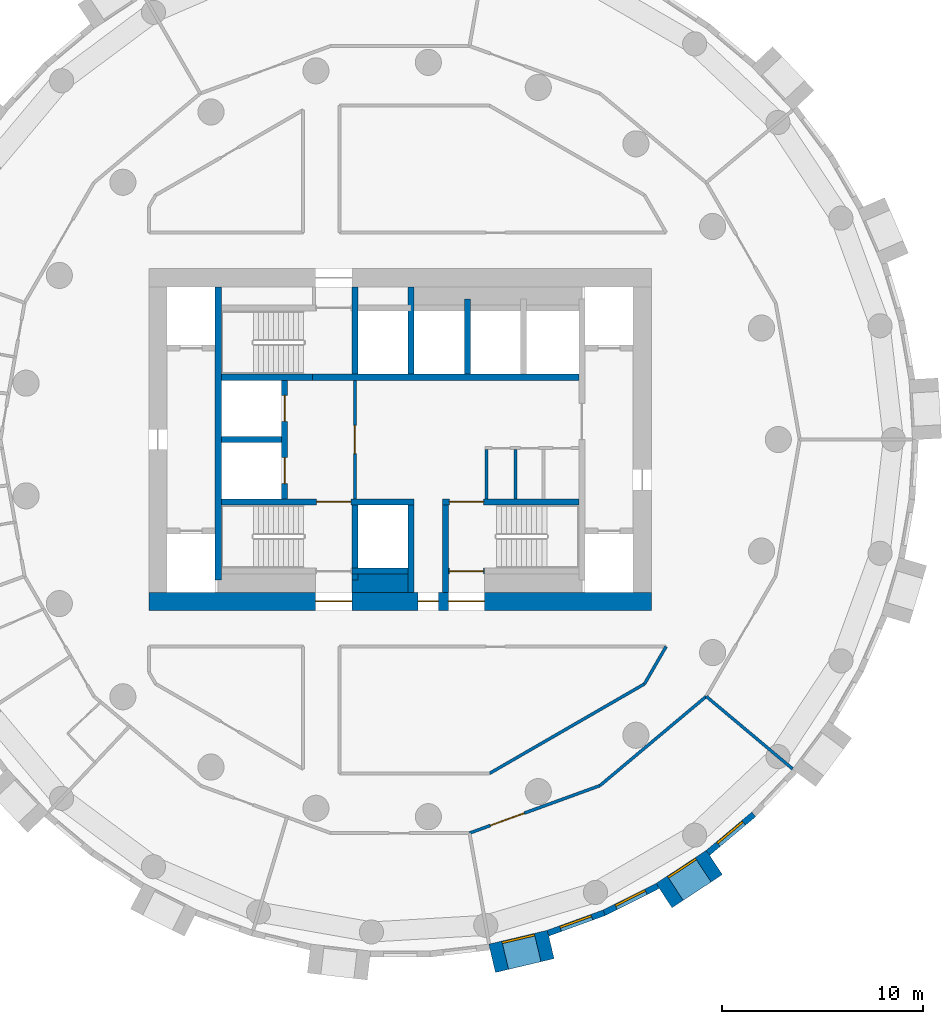
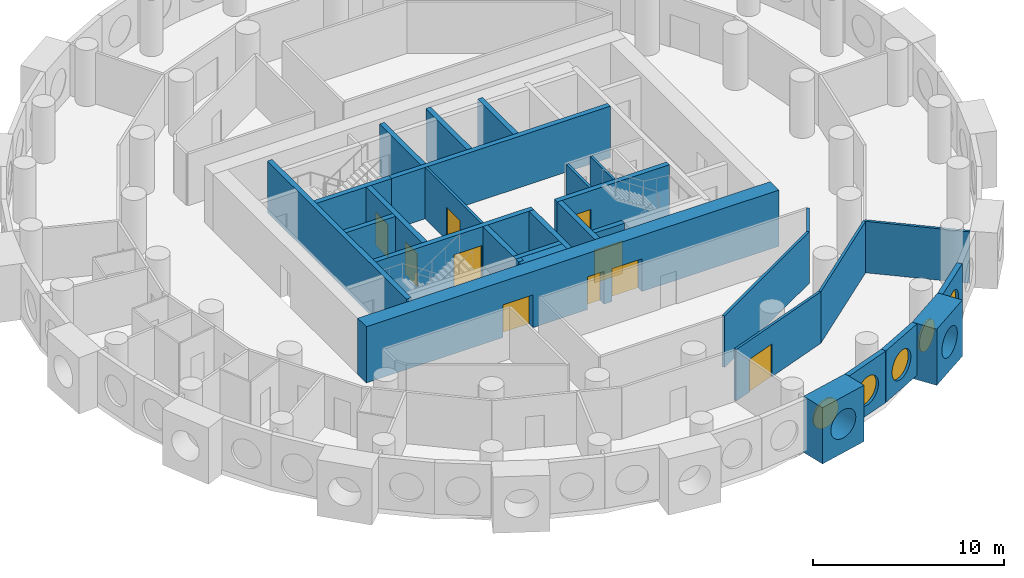
# One storey, part 4 of 9: 30 walls, 10 doors, 5 windows, 15 openings.
"""IFC4 building model written with IfcOpenShell, lengths in metres."""

import ifcopenshell
import ifcopenshell.guid

model = None  # the IFC model being written
_history = None  # IfcOwnerHistory: only IFC2X3 demands one
_inside = {}  # id of a spatial element -> (the spatial element, [elements in it])
_under = {}  # id of a project, library or spatial element -> (it, [spatial elements below it])
_declared = {}  # id of a project -> (the project, [libraries it declares])
_typed = {}  # id of a type object -> (the type object, [elements of that type])
_made_of = {}  # id of a material, layer set ... -> (it, [elements and type objects made of it])


def new_model(schema):
    """Start an empty IFC model of exactly this schema.

    Asked for "IFC4X3", IfcOpenShell would pick the latest addendum, in which some entities
    have other attributes; the version numbers below select the first issue.
    IFC2X3 requires an IfcOwnerHistory on every rooted entity: one is made here for all.
    """
    global model, _history
    if schema == "IFC4X3":
        model = ifcopenshell.file(schema_version=(4, 3, 0, 0))
    else:
        model = ifcopenshell.file(schema=schema)
    _inside.clear()
    _under.clear()
    _declared.clear()
    _typed.clear()
    _made_of.clear()
    _history = None
    if model.schema == "IFC2X3":
        org = make("IfcOrganization", Name="unknown")
        user = make(
            "IfcPersonAndOrganization",
            ThePerson=make("IfcPerson", FamilyName="unknown"),
            TheOrganization=org,
        )
        app = make(
            "IfcApplication",
            ApplicationDeveloper=org,
            Version="unknown",
            ApplicationFullName="unknown",
            ApplicationIdentifier="unknown",
        )
        _history = make(
            "IfcOwnerHistory",
            OwningUser=user,
            OwningApplication=app,
            ChangeAction="ADDED",
            CreationDate=0,
        )
    return model


def make(cls, **values):
    """One entity of the class cls with the attributes given. An attribute that is None is left unset."""
    return model.create_entity(
        cls, **{name: value for name, value in values.items() if value is not None}
    )


def rooted(cls, **values):
    """An entity with a GlobalId (a new one), such as an element, a storey or a relation."""
    return make(cls, GlobalId=ifcopenshell.guid.new(), OwnerHistory=_history, **values)


def si_unit(unit_type, name, prefix=None):
    """IfcSIUnit, for example si_unit("LENGTHUNIT", "METRE", prefix="MILLI")."""
    return make("IfcSIUnit", UnitType=unit_type, Prefix=prefix, Name=name)


def assignment(units):
    """IfcUnitAssignment: the units of a project."""
    return None if units is None else make("IfcUnitAssignment", Units=units)


def point(xyz):
    """IfcCartesianPoint."""
    return None if xyz is None else make("IfcCartesianPoint", Coordinates=xyz)


def direction(xyz):
    """IfcDirection."""
    return None if xyz is None else make("IfcDirection", DirectionRatios=xyz)


def frame(location, z_axis=None, x_axis=None):
    """IfcAxis2Placement3D, a coordinate frame: its origin and axes. An axis left out is left unset."""
    return make(
        "IfcAxis2Placement3D",
        Location=point(location),
        Axis=direction(z_axis),
        RefDirection=direction(x_axis),
    )


def frame_2d(location, x_axis=None):
    """IfcAxis2Placement2D, a coordinate frame in the plane: its origin and x axis."""
    return make(
        "IfcAxis2Placement2D", Location=point(location), RefDirection=direction(x_axis)
    )


def origin():
    """The frame at (0, 0, 0) with its axes left unset."""
    return frame((0.0, 0.0, 0.0))


def origin_2d():
    """The frame at (0, 0) in the plane with its x axis left unset."""
    return frame_2d((0.0, 0.0))


def place(relative_to, where):
    """IfcLocalPlacement: puts the frame where relative to a parent placement (None: the world)."""
    return make(
        "IfcLocalPlacement", PlacementRelTo=relative_to, RelativePlacement=where
    )


def context(
    kind, dimensions, precision=None, world=None, true_north=None, identifier=None
):
    """IfcGeometricRepresentationContext, for example the 3D "Model" context."""
    return make(
        "IfcGeometricRepresentationContext",
        ContextIdentifier=identifier,
        ContextType=kind,
        CoordinateSpaceDimension=dimensions,
        Precision=precision,
        WorldCoordinateSystem=world,
        TrueNorth=true_north,
    )


def subcontext(parent, identifier, kind, view, scale=None):
    """IfcGeometricRepresentationSubContext, for example "Body" below "Model"."""
    return make(
        "IfcGeometricRepresentationSubContext",
        ContextIdentifier=identifier,
        ContextType=kind,
        ParentContext=parent,
        TargetScale=scale,
        TargetView=view,
    )


def project(units=None, contexts=None):
    """IfcProject with its units and contexts."""
    return rooted(
        "IfcProject",
        Name="project",
        RepresentationContexts=contexts,
        UnitsInContext=assignment(units),
    )


def spatial(cls, under=None, at=None, **own):
    """A site, building, storey or space (cls), placed at a placement, below another one or the project."""
    s = rooted(cls, ObjectPlacement=at, **own)
    if under is not None:
        _under.setdefault(under.id(), (under, []))[1].append(s)
    return s


def profile(cls, at=None, kind="AREA", **sizes):
    """A parametric profile (cls). Its sizes go by their IFC names, for example OverallWidth=200.0."""
    return make(cls, ProfileType=kind, Position=at, **sizes)


def rectangle(**sizes):
    """IfcRectangleProfileDef."""
    return profile("IfcRectangleProfileDef", **sizes)


def circle(**sizes):
    """IfcCircleProfileDef."""
    return profile("IfcCircleProfileDef", **sizes)


def extrude(swept, where, along, depth):
    """IfcExtrudedAreaSolid: the profile swept, set in the frame where, extruded along a direction by depth."""
    return make(
        "IfcExtrudedAreaSolid",
        SweptArea=swept,
        Position=where,
        ExtrudedDirection=direction(along),
        Depth=depth,
    )


def shape(context_of_items, identifier, shape_type, items):
    """IfcShapeRepresentation: the items that make up one representation, for example the "Body"."""
    return make(
        "IfcShapeRepresentation",
        ContextOfItems=context_of_items,
        RepresentationIdentifier=identifier,
        RepresentationType=shape_type,
        Items=items,
    )


def material(Name=None, Category=None):
    """IfcMaterial."""
    return make("IfcMaterial", Name=Name, Category=Category)


def layer(
    of_material, thickness, ventilated=None, Name=None, Category=None, Priority=None
):
    """IfcMaterialLayer: one layer of a wall or slab, of a material (None: an air gap)."""
    return make(
        "IfcMaterialLayer",
        Material=of_material,
        LayerThickness=thickness,
        IsVentilated=ventilated,
        Name=Name,
        Category=Category,
        Priority=Priority,
    )


def layer_set(layers, Name=None):
    """IfcMaterialLayerSet."""
    return make("IfcMaterialLayerSet", MaterialLayers=layers, LayerSetName=Name)


def made_of(thing, what):
    """Note that an element or type object is made of a material, layer set ...; save() writes the relation."""
    if what is not None:
        _made_of.setdefault(what.id(), (what, []))[1].append(thing)
    return thing


def type_object(cls, material=None, **own):
    """A type object (cls), such as IfcWallType, which elements share."""
    return made_of(rooted(cls, **own), material)


def element(
    cls,
    number,
    at=None,
    inside=None,
    cuts=None,
    type_object=None,
    material=None,
    context=None,
    identifier="Body",
    shape_type=None,
    held_by="IfcProductDefinitionShape",
    body=None,
    shapes=None,
    **own,
):
    """One element of the class cls, such as IfcWall. Its Tag is "e" and its number.

    at: its placement. inside: the storey or other place that contains it. cuts: it is an
    opening in that element (IfcRelVoidsElement). A single representation is given by context,
    identifier, shape_type and body (its items); several are given by shapes. held_by: the class
    of the entity that holds the representations. save() writes the other relations.
    """
    e = rooted(cls, Tag="e%d" % number, ObjectPlacement=at, **own)
    if body is not None:
        shapes = [shape(context, identifier, shape_type, body)]
    if shapes is not None:
        e.Representation = make(held_by, Representations=shapes)
    if inside is not None:
        _inside.setdefault(inside.id(), (inside, []))[1].append(e)
    if cuts is not None:
        rooted(
            "IfcRelVoidsElement", RelatingBuildingElement=cuts, RelatedOpeningElement=e
        )
    if type_object is not None:
        _typed.setdefault(type_object.id(), (type_object, []))[1].append(e)
    return made_of(e, material)


def fill(opening, filler):
    """IfcRelFillsElement: the door or window that sits in an opening."""
    return rooted(
        "IfcRelFillsElement",
        RelatingOpeningElement=opening,
        RelatedBuildingElement=filler,
    )


def aggregate(whole, parts):
    """IfcRelAggregates: a whole, such as a stair, and the parts it consists of."""
    return rooted("IfcRelAggregates", RelatingObject=whole, RelatedObjects=parts)


def save(model, path):
    """Write the relations noted so far, then the file.

    IfcRelAggregates (storeys below a building ...), IfcRelContainedInSpatialStructure (elements
    in a storey), IfcRelDefinesByType, IfcRelAssociatesMaterial and IfcRelDeclares: one each for
    every whole, place, type object, material and project.
    """
    for whole, parts in _under.values():
        aggregate(whole, parts)
    for where, things in _inside.values():
        rooted(
            "IfcRelContainedInSpatialStructure",
            RelatedElements=things,
            RelatingStructure=where,
        )
    for kind, things in _typed.values():
        rooted("IfcRelDefinesByType", RelatedObjects=things, RelatingType=kind)
    for what, things in _made_of.values():
        rooted("IfcRelAssociatesMaterial", RelatedObjects=things, RelatingMaterial=what)
    for by, libraries in _declared.values():
        rooted("IfcRelDeclares", RelatingContext=by, RelatedDefinitions=libraries)
    model.write(path)


model = new_model("IFC4")

# Units and contexts
model_context = context("Model", 3, precision=1e-05, world=origin(), true_north=direction((0.0, 1.0)))
body_context = subcontext(model_context, "Body", "Model", "MODEL_VIEW")
ifc_project = project(units=[si_unit("LENGTHUNIT", "METRE"), si_unit("AREAUNIT", "SQUARE_METRE"), si_unit("VOLUMEUNIT", "CUBIC_METRE"), si_unit("PLANEANGLEUNIT", "RADIAN"), si_unit("MASSUNIT", "GRAM", prefix="KILO")], contexts=[model_context])

# Site, building, storey
site_placement = place(None, origin())
site = spatial("IfcSite", under=ifc_project, at=site_placement, CompositionType="ELEMENT")
building_placement = place(site_placement, origin())
building = spatial("IfcBuilding", under=site, at=building_placement, Name="Tracery Tower", CompositionType="ELEMENT")
storey_placement = place(building_placement, frame((0.0, 0.0, 205.199951171875)))
storey = spatial("IfcBuildingStorey", under=building, at=storey_placement, Name="L53", CompositionType="ELEMENT", Elevation=205.199951171875)

# Wall, opening, door
ifc_material_1 = material(Name="Plasterboard on steel studs", Category="steel")
ifc_layer_1 = layer(ifc_material_1, 0.14990234375)
ifc_layer_set_1 = layer_set([ifc_layer_1], Name="Core lobby partition 150")
wall_type_1 = type_object("IfcWallType", Name="Core lobby partition 150", PredefinedType="SOLIDWALL", material=ifc_layer_set_1)
wall_1_placement = place(storey_placement, frame((-2.25, -2.949951171875, 0.0), z_axis=(0.0, 0.0, 1.0), x_axis=(0.0, 1.0, 0.0)))
wall_1 = element("IfcWall", 1, at=wall_1_placement, inside=storey, type_object=wall_type_1, Name="L53 FF lobby E", PredefinedType="SOLIDWALL", context=body_context, shape_type="SweptSolid", body=[
    extrude(rectangle(XDim=5.89990234375, YDim=0.14990234375, at=frame_2d((2.949951171875, 0.0))), origin(), (0.0, 0.0, 1.0), 3.300048828125),
])
opening_1_placement = place(wall_1_placement, frame((2.25, 0.0, 0.0)))
opening_1 = element("IfcOpeningElement", 2, at=opening_1_placement, cuts=wall_1, Name="Opening KD8", PredefinedType="OPENING", context=body_context, shape_type="SweptSolid", body=[
    extrude(rectangle(XDim=1.39990234375, YDim=2.10009765625, at=frame_2d((0.699951171875, 1.050048828125))), frame((0.0, 0.074951171875, 0.0), z_axis=(0.0, -1.0, 0.0), x_axis=(1.0, 0.0, 0.0)), (0.0, 0.0, 1.0), 0.14990234375),
])
ifc_material_2 = material(Name="Steel fire door", Category="steel")
door_type_1 = type_object("IfcDoorType", Name="Core lobby door 1400 double", OperationType="NOTDEFINED", PredefinedType="DOOR", material=ifc_material_2)
door_1_placement = place(opening_1_placement, origin())
door_1 = element("IfcDoor", 3, at=door_1_placement, inside=storey, type_object=door_type_1, Name="Fire-fighting lobby door", OperationType="DOUBLE_DOOR_SINGLE_SWING", OverallHeight=2.10009765625, OverallWidth=1.39990234375, PredefinedType="DOOR", context=body_context, shape_type="SweptSolid", body=[
    extrude(rectangle(XDim=1.39990234375, YDim=2.10009765625, at=frame_2d((0.699951171875, 1.050048828125))), frame((0.0, 0.02490234375, 0.0), z_axis=(0.0, -1.0, 0.0), x_axis=(1.0, 0.0, 0.0)), (0.0, 0.0, 1.0), 0.050048828125),
])
fill(opening_1, door_1)

# Walls
ifc_material_3 = material(Name="Plasterboard on steel studs", Category="steel")
ifc_layer_2 = layer(ifc_material_3, 0.14990234375)
ifc_layer_set_2 = layer_set([ifc_layer_2], Name="Core room partition 150")
wall_type_2 = type_object("IfcWallType", Name="Core room partition 150", PredefinedType="SOLIDWALL", material=ifc_layer_set_2)
for number, where, z_axis, x_axis, name in (
    (4, (4.300048828125, -2.949951171875, 0.0), (0.0, 0.0, 1.0), (0.0, 1.0, 0.0), "L53 slot W"),
    (5, (5.75, -2.949951171875, 0.0), (0.0, 0.0, 1.0), (0.0, 1.0, 0.0), "L53 slot sep 1"),
):
    element("IfcWall", number, at=place(storey_placement, frame(where, z_axis=z_axis, x_axis=x_axis)), inside=storey, type_object=wall_type_2, Name=name, PredefinedType="SOLIDWALL", context=body_context, shape_type="SweptSolid", body=[
        extrude(rectangle(XDim=2.449951171875, YDim=0.14990234375, at=frame_2d((1.22509765625, 0.0))), origin(), (0.0, 0.0, 1.0), 3.300048828125),
    ])
ifc_material_4 = material(Name="Concrete C50/60", Category="concrete")
ifc_layer_3 = layer(ifc_material_4, 0.89990234375)
ifc_layer_set_3 = layer_set([ifc_layer_3], Name="Core strip wall 900 C50")
wall_type_3 = type_object("IfcWallType", Name="Core strip wall 900 C50", PredefinedType="SOLIDWALL", material=ifc_layer_set_3)
wall_2_placement = place(storey_placement, frame((-2.39990234375, -7.14990234375, 0.0), z_axis=(0.0, 0.0, 1.0), x_axis=(1.0, 0.0, 0.0)))
element("IfcWall", 6, at=wall_2_placement, inside=storey, type_object=wall_type_3, Name="L53 F thick S mid", PredefinedType="SOLIDWALL", context=body_context, shape_type="SweptSolid", body=[
    extrude(rectangle(XDim=2.7998046875, YDim=0.89990234375, at=frame_2d((1.39990234375, 0.0))), origin(), (0.0, 0.0, 1.0), 3.300048828125),
])

# Wall, openings, doors
ifc_material_5 = material(Name="Concrete C50/60", Category="concrete")
ifc_layer_4 = layer(ifc_material_5, 0.89990234375)
ifc_layer_set_4 = layer_set([ifc_layer_4], Name="Core wall 900 C50")
wall_type_4 = type_object("IfcWallType", Name="Core wall 900 C50", PredefinedType="SOLIDWALL", material=ifc_layer_set_4)
wall_3_placement = place(storey_placement, frame((-12.5, -8.050048828125, 0.0), z_axis=(0.0, 0.0, 1.0), x_axis=(1.0, 0.0, 0.0)))
wall_3 = element("IfcWall", 7, at=wall_3_placement, inside=storey, type_object=wall_type_4, Name="L53 outer S", PredefinedType="SOLIDWALL", context=body_context, shape_type="SweptSolid", body=[
    extrude(rectangle(XDim=25.0, YDim=0.89990234375, at=frame_2d((12.5, 0.0))), origin(), (0.0, 0.0, 1.0), 3.60009765625),
])
opening_2_placement = place(wall_3_placement, frame((13.39990234375, 0.0, 0.0)))
opening_2 = element("IfcOpeningElement", 8, at=opening_2_placement, cuts=wall_3, Name="Opening KD16", PredefinedType="OPENING", context=body_context, shape_type="SweptSolid", body=[
    extrude(rectangle(XDim=1.0, YDim=2.10009765625, at=frame_2d((0.5, 1.050048828125))), frame((0.0, 0.449951171875, 0.0), z_axis=(0.0, -1.0, 0.0), x_axis=(1.0, 0.0, 0.0)), (0.0, 0.0, 1.0), 0.89990234375),
])
opening_3_placement = place(wall_3_placement, frame((8.300048828125, 0.0, 0.0)))
opening_3 = element("IfcOpeningElement", 9, at=opening_3_placement, cuts=wall_3, Name="Opening KD13", PredefinedType="OPENING", context=body_context, shape_type="SweptSolid", body=[
    extrude(rectangle(XDim=1.800048828125, YDim=2.10009765625, at=frame_2d((0.89990234375, 1.050048828125))), frame((0.0, 0.449951171875, 0.0), z_axis=(0.0, -1.0, 0.0), x_axis=(1.0, 0.0, 0.0)), (0.0, 0.0, 1.0), 0.89990234375),
])
opening_4_placement = place(wall_3_placement, frame((14.89990234375, 0.0, 0.0)))
opening_4 = element("IfcOpeningElement", 10, at=opening_4_placement, cuts=wall_3, Name="Opening KD13", PredefinedType="OPENING", context=body_context, shape_type="SweptSolid", body=[
    extrude(rectangle(XDim=1.800048828125, YDim=2.10009765625, at=frame_2d((0.89990234375, 1.050048828125))), frame((0.0, 0.449951171875, 0.0), z_axis=(0.0, -1.0, 0.0), x_axis=(1.0, 0.0, 0.0)), (0.0, 0.0, 1.0), 0.89990234375),
])
ifc_material_6 = material(Name="Steel fire door", Category="steel")
door_type_2 = type_object("IfcDoorType", Name="Core exit door 1000", OperationType="NOTDEFINED", PredefinedType="DOOR", material=ifc_material_6)
door_2_placement = place(opening_2_placement, origin())
door_2 = element("IfcDoor", 11, at=door_2_placement, inside=storey, type_object=door_type_2, Name="Core exit door", OperationType="SINGLE_SWING_LEFT", OverallHeight=2.10009765625, OverallWidth=1.0, PredefinedType="DOOR", context=body_context, shape_type="SweptSolid", body=[
    extrude(rectangle(XDim=1.0, YDim=2.10009765625, at=frame_2d((0.5, 1.050048828125))), frame((0.0, 0.02490234375, 0.0), z_axis=(0.0, -1.0, 0.0), x_axis=(1.0, 0.0, 0.0)), (0.0, 0.0, 1.0), 0.050048828125),
])
fill(opening_2, door_2)
ifc_material_7 = material(Name="Steel fire door", Category="steel")
door_type_3 = type_object("IfcDoorType", Name="Core exit door 1800 double", OperationType="NOTDEFINED", PredefinedType="DOOR", material=ifc_material_7)
door_3_placement = place(opening_3_placement, origin())
door_3 = element("IfcDoor", 12, at=door_3_placement, inside=storey, type_object=door_type_3, Name="Core exit door", OperationType="DOUBLE_DOOR_SINGLE_SWING", OverallHeight=2.10009765625, OverallWidth=1.800048828125, PredefinedType="DOOR", context=body_context, shape_type="SweptSolid", body=[
    extrude(rectangle(XDim=1.800048828125, YDim=2.10009765625, at=frame_2d((0.89990234375, 1.050048828125))), frame((0.0, 0.02490234375, 0.0), z_axis=(0.0, -1.0, 0.0), x_axis=(1.0, 0.0, 0.0)), (0.0, 0.0, 1.0), 0.050048828125),
])
fill(opening_3, door_3)
door_4_placement = place(opening_4_placement, origin())
door_4 = element("IfcDoor", 13, at=door_4_placement, inside=storey, type_object=door_type_3, Name="Core exit door", OperationType="DOUBLE_DOOR_SINGLE_SWING", OverallHeight=2.10009765625, OverallWidth=1.800048828125, PredefinedType="DOOR", context=body_context, shape_type="SweptSolid", body=[
    extrude(rectangle(XDim=1.800048828125, YDim=2.10009765625, at=frame_2d((0.89990234375, 1.050048828125))), frame((0.0, 0.02490234375, 0.0), z_axis=(0.0, -1.0, 0.0), x_axis=(1.0, 0.0, 0.0)), (0.0, 0.0, 1.0), 0.050048828125),
])
fill(opening_4, door_4)

# Wall, opening, window
ifc_material_8 = material(Name="Precast concrete C50/60", Category="concrete")
ifc_layer_5 = layer(ifc_material_8, 1.449951171875)
ifc_layer_set_5 = layer_set([ifc_layer_5], Name="Deep-set bay unit 3000 x 3600, slab edge 300")
wall_type_5 = type_object("IfcWallType", Name="Deep-set bay unit 3000 x 3600, slab edge 300", PredefinedType="ELEMENTEDWALL", material=ifc_layer_set_5)
wall_4_placement = place(storey_placement, frame((4.57763671875, -25.8193359375, -0.300048828125), z_axis=(0.0, 0.0, 1.0), x_axis=(0.973042333261, 0.23062657627, 0.0)))
wall_4 = element("IfcWall", 14, at=wall_4_placement, inside=storey, type_object=wall_type_5, Name="Deep-set bay unit 43 at L53", PredefinedType="ELEMENTEDWALL", context=body_context, shape_type="SweptSolid", body=[
    extrude(rectangle(XDim=3.0, YDim=1.449951171875, at=frame_2d((1.5, 0.0))), origin(), (0.0, 0.0, 1.0), 3.60009765625),
])
opening_5_placement = place(wall_4_placement, frame((1.5, 0.0, 1.85009765625)))
opening_5 = element("IfcOpeningElement", 15, at=opening_5_placement, cuts=wall_4, Name="Opening WN1", PredefinedType="OPENING", context=body_context, shape_type="SweptSolid", body=[
    extrude(circle(Radius=0.9000244140625, at=origin_2d()), frame((0.0, 0.73486328125, 0.0), z_axis=(0.0, -1.0, 0.0), x_axis=(1.0, 0.0, 0.0)), (0.0, 0.0, 1.0), 1.469970703125),
])
ifc_material_9 = material(Name="Aluminium frame with tinted double glazing", Category="aluminium")
window_type = type_object("IfcWindowType", Name="Round window 1800", PartitioningType="SINGLE_PANEL", PredefinedType="WINDOW", material=ifc_material_9)
window_1_placement = place(opening_5_placement, origin())
window_1 = element("IfcWindow", 16, at=window_1_placement, inside=storey, type_object=window_type, Name="Round window 43 at L53", OverallHeight=1.800048828125, OverallWidth=1.800048828125, PartitioningType="SINGLE_PANEL", PredefinedType="WINDOW", context=body_context, shape_type="SweptSolid", body=[
    extrude(circle(Radius=0.9000244140625, at=origin_2d()), frame((0.0, 0.69482421875, 0.0), z_axis=(0.0, -1.0, 0.0), x_axis=(1.0, 0.0, 0.0)), (0.0, 0.0, 1.0), 0.10009765625),
])
fill(opening_5, window_1)

wall_5_placement = place(storey_placement, frame((13.13232421875, -22.696533203125, -0.300048828125), z_axis=(0.0, 0.0, 1.0), x_axis=(0.835514416706, 0.549468524554, 0.0)))
wall_5 = element("IfcWall", 17, at=wall_5_placement, inside=storey, type_object=wall_type_5, Name="Deep-set bay unit 46 at L53", PredefinedType="ELEMENTEDWALL", context=body_context, shape_type="SweptSolid", body=[
    extrude(rectangle(XDim=3.0, YDim=1.449951171875, at=frame_2d((1.5, 0.0))), origin(), (0.0, 0.0, 1.0), 3.60009765625),
])
opening_6_placement = place(wall_5_placement, frame((1.5, 0.0, 1.85009765625)))
opening_6 = element("IfcOpeningElement", 18, at=opening_6_placement, cuts=wall_5, Name="Opening WN1", PredefinedType="OPENING", context=body_context, shape_type="SweptSolid", body=[
    extrude(circle(Radius=0.9000244140625, at=origin_2d()), frame((0.0, 0.73486328125, 0.0), z_axis=(0.0, -1.0, 0.0), x_axis=(1.0, 0.0, 0.0)), (0.0, 0.0, 1.0), 1.469970703125),
])
window_2_placement = place(opening_6_placement, origin())
window_2 = element("IfcWindow", 19, at=window_2_placement, inside=storey, type_object=window_type, Name="Round window 46 at L53", OverallHeight=1.800048828125, OverallWidth=1.800048828125, PartitioningType="SINGLE_PANEL", PredefinedType="WINDOW", context=body_context, shape_type="SweptSolid", body=[
    extrude(circle(Radius=0.9000244140625, at=origin_2d()), frame((0.0, 0.69482421875, 0.0), z_axis=(0.0, -1.0, 0.0), x_axis=(1.0, 0.0, 0.0)), (0.0, 0.0, 1.0), 0.10009765625),
])
fill(opening_6, window_2)

ifc_material_10 = material(Name="Precast concrete C50/60", Category="concrete")
ifc_layer_6 = layer(ifc_material_10, 0.300048828125)
ifc_layer_set_6 = layer_set([ifc_layer_6], Name="Facade panel 3000 x 3300")
wall_type_6 = type_object("IfcWallType", Name="Facade panel 3000 x 3300", PredefinedType="SOLIDWALL", material=ifc_layer_set_6)
wall_6_placement = place(storey_placement, frame((7.36474609375, -24.566650390625, 0.0), z_axis=(0.0, 0.0, 1.0), x_axis=(0.939690282133, 0.342026568652, 0.0)))
wall_6 = element("IfcWall", 20, at=wall_6_placement, inside=storey, type_object=wall_type_6, Name="Facade panel 44 at L53", PredefinedType="SOLIDWALL", context=body_context, shape_type="SweptSolid", body=[
    extrude(rectangle(XDim=2.972900390625, YDim=0.300048828125, at=frame_2d((1.486328125, 0.0))), origin(), (0.0, 0.0, 1.0), 3.300048828125),
])
opening_7_placement = place(wall_6_placement, frame((1.486328125, 0.0, 1.5498046875)))
opening_7 = element("IfcOpeningElement", 21, at=opening_7_placement, cuts=wall_6, Name="Opening WN1", PredefinedType="OPENING", context=body_context, shape_type="SweptSolid", body=[
    extrude(circle(Radius=0.9000244140625, at=origin_2d()), frame((0.0, 0.159912109375, 0.0), z_axis=(0.0, -1.0, 0.0), x_axis=(1.0, 0.0, 0.0)), (0.0, 0.0, 1.0), 0.320068359375),
])
window_3_placement = place(opening_7_placement, origin())
window_3 = element("IfcWindow", 22, at=window_3_placement, inside=storey, type_object=window_type, Name="Round window 44 at L53", OverallHeight=1.800048828125, OverallWidth=1.800048828125, PartitioningType="SINGLE_PANEL", PredefinedType="WINDOW", context=body_context, shape_type="SweptSolid", body=[
    extrude(circle(Radius=0.9000244140625, at=origin_2d()), frame((0.0, 0.1201171875, 0.0), z_axis=(0.0, -1.0, 0.0), x_axis=(1.0, 0.0, 0.0)), (0.0, 0.0, 1.0), 0.10009765625),
])
fill(opening_7, window_3)

wall_7_placement = place(storey_placement, frame((10.158447265625, -23.5498046875, 0.0), z_axis=(0.0, 0.0, 1.0), x_axis=(0.893637442555, 0.448789618045, 0.0)))
wall_7 = element("IfcWall", 23, at=wall_7_placement, inside=storey, type_object=wall_type_6, Name="Facade panel 45 at L53", PredefinedType="SOLIDWALL", context=body_context, shape_type="SweptSolid", body=[
    extrude(rectangle(XDim=2.972900390625, YDim=0.300048828125, at=frame_2d((1.486328125, 0.0))), origin(), (0.0, 0.0, 1.0), 3.300048828125),
])
opening_8_placement = place(wall_7_placement, frame((1.486328125, 0.0, 1.5498046875)))
opening_8 = element("IfcOpeningElement", 24, at=opening_8_placement, cuts=wall_7, Name="Opening WN1", PredefinedType="OPENING", context=body_context, shape_type="SweptSolid", body=[
    extrude(circle(Radius=0.9000244140625, at=origin_2d()), frame((0.0, 0.159912109375, 0.0), z_axis=(0.0, -1.0, 0.0), x_axis=(1.0, 0.0, 0.0)), (0.0, 0.0, 1.0), 0.320068359375),
])
window_4_placement = place(opening_8_placement, origin())
window_4 = element("IfcWindow", 25, at=window_4_placement, inside=storey, type_object=window_type, Name="Round window 45 at L53", OverallHeight=1.800048828125, OverallWidth=1.800048828125, PartitioningType="SINGLE_PANEL", PredefinedType="WINDOW", context=body_context, shape_type="SweptSolid", body=[
    extrude(circle(Radius=0.9000244140625, at=origin_2d()), frame((0.0, 0.1201171875, 0.0), z_axis=(0.0, -1.0, 0.0), x_axis=(1.0, 0.0, 0.0)), (0.0, 0.0, 1.0), 0.10009765625),
])
fill(opening_8, window_4)

wall_8_placement = place(storey_placement, frame((15.322998046875, -20.566162109375, 0.0), z_axis=(0.0, 0.0, 1.0), x_axis=(0.766049350637, 0.642781761089, 0.0)))
wall_8 = element("IfcWall", 26, at=wall_8_placement, inside=storey, type_object=wall_type_6, Name="Facade panel 47 at L53", PredefinedType="SOLIDWALL", context=body_context, shape_type="SweptSolid", body=[
    extrude(rectangle(XDim=2.972900390625, YDim=0.300048828125, at=frame_2d((1.486328125, 0.0))), origin(), (0.0, 0.0, 1.0), 3.300048828125),
])
opening_9_placement = place(wall_8_placement, frame((1.486328125, 0.0, 1.5498046875)))
opening_9 = element("IfcOpeningElement", 27, at=opening_9_placement, cuts=wall_8, Name="Opening WN1", PredefinedType="OPENING", context=body_context, shape_type="SweptSolid", body=[
    extrude(circle(Radius=0.9000244140625, at=origin_2d()), frame((0.0, 0.159912109375, 0.0), z_axis=(0.0, -1.0, 0.0), x_axis=(1.0, 0.0, 0.0)), (0.0, 0.0, 1.0), 0.320068359375),
])
window_5_placement = place(opening_9_placement, origin())
window_5 = element("IfcWindow", 28, at=window_5_placement, inside=storey, type_object=window_type, Name="Round window 47 at L53", OverallHeight=1.800048828125, OverallWidth=1.800048828125, PartitioningType="SINGLE_PANEL", PredefinedType="WINDOW", context=body_context, shape_type="SweptSolid", body=[
    extrude(circle(Radius=0.9000244140625, at=origin_2d()), frame((0.0, 0.1201171875, 0.0), z_axis=(0.0, -1.0, 0.0), x_axis=(1.0, 0.0, 0.0)), (0.0, 0.0, 1.0), 0.10009765625),
])
fill(opening_9, window_5)

# Walls
ifc_material_11 = material(Name="Plasterboard on steel studs", Category="steel")
ifc_layer_7 = layer(ifc_material_11, 0.14990234375)
ifc_layer_set_7 = layer_set([ifc_layer_7], Name="Partition 150 acoustic unit wall")
wall_type_7 = type_object("IfcWallType", Name="Partition 150 acoustic unit wall", PredefinedType="PARTITIONING", material=ifc_layer_set_7)
wall_9_placement = place(storey_placement, frame((15.235107421875, -12.783935546875, 0.0), z_axis=(0.0, 0.0, 1.0), x_axis=(0.76609059793, -0.642732600514, 0.0)))
element("IfcWall", 29, at=wall_9_placement, inside=storey, type_object=wall_type_7, Name="Unit wall RB8-063", PredefinedType="PARTITIONING", context=body_context, shape_type="SweptSolid", body=[
    extrude(rectangle(XDim=5.60888671875, YDim=0.14990234375, at=frame_2d((2.804443359375, 0.0))), origin(), (0.0, 0.0, 1.0), 3.300048828125),
])
ifc_material_12 = material(Name="Plasterboard on steel studs", Category="steel")
ifc_layer_8 = layer(ifc_material_12, 0.14990234375)
ifc_layer_set_8 = layer_set([ifc_layer_8], Name="Partition 150 corridor wall")
wall_type_8 = type_object("IfcWallType", Name="Partition 150 corridor wall", PredefinedType="PARTITIONING", material=ifc_layer_set_8)
wall_10_placement = place(storey_placement, frame((12.162109375, -12.162109375, 0.0), z_axis=(0.0, 0.0, 1.0), x_axis=(0.499961633463, 0.866047553582, 0.0)))
element("IfcWall", 30, at=wall_10_placement, inside=storey, type_object=wall_type_8, Name="Corridor wall RB8-006", PredefinedType="PARTITIONING", context=body_context, shape_type="SweptSolid", body=[
    extrude(rectangle(XDim=2.150146484375, YDim=0.14990234375, at=frame_2d((1.0751953125, 0.0))), origin(), (0.0, 0.0, 1.0), 3.300048828125),
])
wall_11_placement = place(storey_placement, frame((9.943359375, -17.22216796875, 0.0), z_axis=(0.0, 0.0, 1.0), x_axis=(0.766192104565, 0.642611592567, 0.0)))
element("IfcWall", 31, at=wall_11_placement, inside=storey, type_object=wall_type_8, Name="Corridor wall RB8-010", PredefinedType="PARTITIONING", context=body_context, shape_type="SweptSolid", body=[
    extrude(rectangle(XDim=6.906494140625, YDim=0.14990234375, at=frame_2d((3.453125, 0.0))), origin(), (0.0, 0.0, 1.0), 3.300048828125),
])
wall_12_placement = place(storey_placement, frame((4.451904296875, -16.614013671875, 0.0), z_axis=(0.0, 0.0, 1.0), x_axis=(0.866005203721, 0.500034985904, 0.0)))
element("IfcWall", 32, at=wall_12_placement, inside=storey, type_object=wall_type_8, Name="Corridor wall RB8-036", PredefinedType="PARTITIONING", context=body_context, shape_type="SweptSolid", body=[
    extrude(rectangle(XDim=8.903076171875, YDim=0.14990234375, at=frame_2d((4.45166015625, 0.0))), origin(), (0.0, 0.0, 1.0), 3.300048828125),
])

# Wall, opening, door
wall_13_placement = place(storey_placement, frame((3.452880859375, -19.5859375, 0.0), z_axis=(0.0, 0.0, 1.0), x_axis=(0.939672634566, 0.342075050021, 0.0)))
wall_13 = element("IfcWall", 33, at=wall_13_placement, inside=storey, type_object=wall_type_8, Name="Corridor wall RB8-039", PredefinedType="PARTITIONING", context=body_context, shape_type="SweptSolid", body=[
    extrude(rectangle(XDim=6.907958984375, YDim=0.14990234375, at=frame_2d((3.4541015625, 0.0))), origin(), (0.0, 0.0, 1.0), 3.300048828125),
])
opening_10_placement = place(wall_13_placement, frame((1.103759765625, 0.0, 0.0)))
opening_10 = element("IfcOpeningElement", 34, at=opening_10_placement, cuts=wall_13, Name="Opening RB8-21", PredefinedType="OPENING", context=body_context, shape_type="SweptSolid", body=[
    extrude(rectangle(XDim=1.800048828125, YDim=2.10009765625, at=frame_2d((0.89990234375, 1.050048828125))), frame((0.0, 0.074951171875, 0.0), z_axis=(0.0, -1.0, 0.0), x_axis=(1.0, 0.0, 0.0)), (0.0, 0.0, 1.0), 0.14990234375),
])
ifc_material_13 = material(Name="Timber door leaf", Category="wood")
door_type_4 = type_object("IfcDoorType", Name="Door double lounge 1800", OperationType="NOTDEFINED", PredefinedType="DOOR", material=ifc_material_13)
door_5_placement = place(opening_10_placement, origin())
door_5 = element("IfcDoor", 35, at=door_5_placement, inside=storey, type_object=door_type_4, Name="Double lounge door RB8-21", OperationType="DOUBLE_DOOR_SINGLE_SWING", OverallHeight=2.10009765625, OverallWidth=1.800048828125, PredefinedType="DOOR", context=body_context, shape_type="SweptSolid", body=[
    extrude(rectangle(XDim=1.800048828125, YDim=2.10009765625, at=frame_2d((0.89990234375, 1.050048828125))), frame((0.0, 0.02490234375, 0.0), z_axis=(0.0, -1.0, 0.0), x_axis=(1.0, 0.0, 0.0)), (0.0, 0.0, 1.0), 0.050048828125),
])
fill(opening_10, door_5)

# Wall
ifc_material_14 = material(Name="Concrete C50/60", Category="concrete")
ifc_layer_9 = layer(ifc_material_14, 0.300048828125)
ifc_layer_set_9 = layer_set([ifc_layer_9], Name="Shaft wall 300 C50")
wall_type_9 = type_object("IfcWallType", Name="Shaft wall 300 C50", PredefinedType="SOLIDWALL", material=ifc_layer_set_9)
wall_14_placement = place(storey_placement, frame((-8.89990234375, 0.0, 0.0), z_axis=(0.0, 0.0, 1.0), x_axis=(1.0, 0.0, 0.0)))
element("IfcWall", 36, at=wall_14_placement, inside=storey, type_object=wall_type_9, Name="L53 FF split", PredefinedType="SOLIDWALL", context=body_context, shape_type="SweptSolid", body=[
    extrude(rectangle(XDim=3.0, YDim=0.300048828125, at=frame_2d((1.5, 0.0))), origin(), (0.0, 0.0, 1.0), 3.300048828125),
])

# Wall, openings, doors
wall_15_placement = place(storey_placement, frame((-5.75, -2.949951171875, 0.0), z_axis=(0.0, 0.0, 1.0), x_axis=(0.0, 1.0, 0.0)))
wall_15 = element("IfcWall", 37, at=wall_15_placement, inside=storey, type_object=wall_type_9, Name="L53 FF doors", PredefinedType="SOLIDWALL", context=body_context, shape_type="SweptSolid", body=[
    extrude(rectangle(XDim=5.89990234375, YDim=0.300048828125, at=frame_2d((2.949951171875, 0.0))), origin(), (0.0, 0.0, 1.0), 3.300048828125),
])
opening_11_placement = place(wall_15_placement, frame((0.75, 0.0, 0.0)))
opening_11 = element("IfcOpeningElement", 38, at=opening_11_placement, cuts=wall_15, Name="Opening KD54", PredefinedType="OPENING", context=body_context, shape_type="SweptSolid", body=[
    extrude(rectangle(XDim=1.300048828125, YDim=2.10009765625, at=frame_2d((0.64990234375, 1.050048828125))), frame((0.0, 0.14990234375, 0.0), z_axis=(0.0, -1.0, 0.0), x_axis=(1.0, 0.0, 0.0)), (0.0, 0.0, 1.0), 0.300048828125),
])
opening_12_placement = place(wall_15_placement, frame((3.85009765625, 0.0, 0.0)))
opening_12 = element("IfcOpeningElement", 39, at=opening_12_placement, cuts=wall_15, Name="Opening KD55", PredefinedType="OPENING", context=body_context, shape_type="SweptSolid", body=[
    extrude(rectangle(XDim=1.300048828125, YDim=2.10009765625, at=frame_2d((0.64990234375, 1.050048828125))), frame((0.0, 0.14990234375, 0.0), z_axis=(0.0, -1.0, 0.0), x_axis=(1.0, 0.0, 0.0)), (0.0, 0.0, 1.0), 0.300048828125),
])
ifc_material_15 = material(Name="Steel fire door", Category="steel")
door_type_5 = type_object("IfcDoorType", Name="Landing door FF 1300", OperationType="NOTDEFINED", PredefinedType="DOOR", material=ifc_material_15)
door_6_placement = place(opening_11_placement, origin())
door_6 = element("IfcDoor", 40, at=door_6_placement, inside=storey, type_object=door_type_5, Name="Landing door FF1", OperationType="SLIDING_TO_LEFT", OverallHeight=2.10009765625, OverallWidth=1.300048828125, PredefinedType="DOOR", context=body_context, shape_type="SweptSolid", body=[
    extrude(rectangle(XDim=1.300048828125, YDim=2.10009765625, at=frame_2d((0.64990234375, 1.050048828125))), frame((0.0, 0.02490234375, 0.0), z_axis=(0.0, -1.0, 0.0), x_axis=(1.0, 0.0, 0.0)), (0.0, 0.0, 1.0), 0.050048828125),
])
fill(opening_11, door_6)
door_7_placement = place(opening_12_placement, origin())
door_7 = element("IfcDoor", 41, at=door_7_placement, inside=storey, type_object=door_type_5, Name="Landing door FF2", OperationType="SLIDING_TO_RIGHT", OverallHeight=2.10009765625, OverallWidth=1.300048828125, PredefinedType="DOOR", context=body_context, shape_type="SweptSolid", body=[
    extrude(rectangle(XDim=1.300048828125, YDim=2.10009765625, at=frame_2d((0.64990234375, 1.050048828125))), frame((0.0, 0.02490234375, 0.0), z_axis=(0.0, -1.0, 0.0), x_axis=(1.0, 0.0, 0.0)), (0.0, 0.0, 1.0), 0.050048828125),
])
fill(opening_12, door_7)

# Walls
for number, where, z_axis, x_axis, name in (
    (42, (0.550048828125, -7.60009765625, 0.0), (0.0, 0.0, 1.0), (0.0, 1.0, 0.0), "L53 OB2 E"),
    (43, (0.550048828125, 3.25, 0.0), (0.0, 0.0, 1.0), (0.0, 1.0, 0.0), "L53 HR sep 1"),
):
    element("IfcWall", number, at=place(storey_placement, frame(where, z_axis=z_axis, x_axis=x_axis)), inside=storey, type_object=wall_type_9, Name=name, PredefinedType="SOLIDWALL", context=body_context, shape_type="SweptSolid", body=[
        extrude(rectangle(XDim=4.35009765625, YDim=0.300048828125, at=frame_2d((2.175048828125, 0.0))), origin(), (0.0, 0.0, 1.0), 3.300048828125),
    ])
wall_16_placement = place(storey_placement, frame((3.35009765625, 3.25, 0.0), z_axis=(0.0, 0.0, 1.0), x_axis=(0.0, 1.0, 0.0)))
element("IfcWall", 44, at=wall_16_placement, inside=storey, type_object=wall_type_9, Name="L53 HR sep 2", PredefinedType="SOLIDWALL", context=body_context, shape_type="SweptSolid", body=[
    extrude(rectangle(XDim=3.75, YDim=0.300048828125, at=frame_2d((1.875, 0.0))), origin(), (0.0, 0.0, 1.0), 3.300048828125),
])

# Wall, opening, door
ifc_material_16 = material(Name="Concrete C50/60", Category="concrete")
ifc_layer_10 = layer(ifc_material_16, 0.300048828125)
ifc_layer_set_10 = layer_set([ifc_layer_10], Name="Stair wall 300 C50")
wall_type_10 = type_object("IfcWallType", Name="Stair wall 300 C50", PredefinedType="SOLIDWALL", material=ifc_layer_set_10)
wall_17_placement = place(storey_placement, frame((-8.89990234375, -3.10009765625, 0.0), z_axis=(0.0, 0.0, 1.0), x_axis=(1.0, 0.0, 0.0)))
wall_17 = element("IfcWall", 45, at=wall_17_placement, inside=storey, type_object=wall_type_10, Name="L53 row S", PredefinedType="SOLIDWALL", context=body_context, shape_type="SweptSolid", body=[
    extrude(rectangle(XDim=9.599853515625, YDim=0.300048828125, at=frame_2d((4.7998046875, 0.0))), origin(), (0.0, 0.0, 1.0), 3.300048828125),
])
opening_13_placement = place(wall_17_placement, frame((4.75, 0.0, 0.0)))
opening_13 = element("IfcOpeningElement", 46, at=opening_13_placement, cuts=wall_17, Name="Opening KD3", PredefinedType="OPENING", context=body_context, shape_type="SweptSolid", body=[
    extrude(rectangle(XDim=1.699951171875, YDim=2.10009765625, at=frame_2d((0.85009765625, 1.050048828125))), frame((0.0, 0.14990234375, 0.0), z_axis=(0.0, -1.0, 0.0), x_axis=(1.0, 0.0, 0.0)), (0.0, 0.0, 1.0), 0.300048828125),
])
ifc_material_17 = material(Name="Steel fire door", Category="steel")
door_type_6 = type_object("IfcDoorType", Name="Core stair door 1700 double", OperationType="NOTDEFINED", PredefinedType="DOOR", material=ifc_material_17)
door_8_placement = place(opening_13_placement, origin())
door_8 = element("IfcDoor", 47, at=door_8_placement, inside=storey, type_object=door_type_6, Name="Stair door ST1", OperationType="DOUBLE_DOOR_SINGLE_SWING", OverallHeight=2.10009765625, OverallWidth=1.699951171875, PredefinedType="DOOR", context=body_context, shape_type="SweptSolid", body=[
    extrude(rectangle(XDim=1.699951171875, YDim=2.10009765625, at=frame_2d((0.85009765625, 1.050048828125))), frame((0.0, 0.02490234375, 0.0), z_axis=(0.0, -1.0, 0.0), x_axis=(1.0, 0.0, 0.0)), (0.0, 0.0, 1.0), 0.050048828125),
])
fill(opening_13, door_8)

wall_18_placement = place(storey_placement, frame((2.10009765625, -3.10009765625, 0.0), z_axis=(0.0, 0.0, 1.0), x_axis=(1.0, 0.0, 0.0)))
wall_18 = element("IfcWall", 48, at=wall_18_placement, inside=storey, type_object=wall_type_10, Name="L53 row S E", PredefinedType="SOLIDWALL", context=body_context, shape_type="SweptSolid", body=[
    extrude(rectangle(XDim=6.7998046875, YDim=0.300048828125, at=frame_2d((3.39990234375, 0.0))), origin(), (0.0, 0.0, 1.0), 3.300048828125),
])
opening_14_placement = place(wall_18_placement, frame((0.35009765625, 0.0, 0.0)))
opening_14 = element("IfcOpeningElement", 49, at=opening_14_placement, cuts=wall_18, Name="Opening KD3", PredefinedType="OPENING", context=body_context, shape_type="SweptSolid", body=[
    extrude(rectangle(XDim=1.699951171875, YDim=2.10009765625, at=frame_2d((0.85009765625, 1.050048828125))), frame((0.0, 0.14990234375, 0.0), z_axis=(0.0, -1.0, 0.0), x_axis=(1.0, 0.0, 0.0)), (0.0, 0.0, 1.0), 0.300048828125),
])
door_9_placement = place(opening_14_placement, origin())
door_9 = element("IfcDoor", 50, at=door_9_placement, inside=storey, type_object=door_type_6, Name="Stair door ST2", OperationType="DOUBLE_DOOR_SINGLE_SWING", OverallHeight=2.10009765625, OverallWidth=1.699951171875, PredefinedType="DOOR", context=body_context, shape_type="SweptSolid", body=[
    extrude(rectangle(XDim=1.699951171875, YDim=2.10009765625, at=frame_2d((0.85009765625, 1.050048828125))), frame((0.0, 0.02490234375, 0.0), z_axis=(0.0, -1.0, 0.0), x_axis=(1.0, 0.0, 0.0)), (0.0, 0.0, 1.0), 0.050048828125),
])
fill(opening_14, door_9)

# Walls
wall_19_placement = place(storey_placement, frame((-8.89990234375, 3.10009765625, 0.0), z_axis=(0.0, 0.0, 1.0), x_axis=(1.0, 0.0, 0.0)))
element("IfcWall", 51, at=wall_19_placement, inside=storey, type_object=wall_type_10, Name="L53 row N W", PredefinedType="SOLIDWALL", context=body_context, shape_type="SweptSolid", body=[
    extrude(rectangle(XDim=4.5498046875, YDim=0.300048828125, at=frame_2d((2.27490234375, 0.0))), origin(), (0.0, 0.0, 1.0), 3.300048828125),
])
wall_20_placement = place(storey_placement, frame((-4.35009765625, 3.10009765625, 0.0), z_axis=(0.0, 0.0, 1.0), x_axis=(1.0, 0.0, 0.0)))
element("IfcWall", 52, at=wall_20_placement, inside=storey, type_object=wall_type_10, Name="L53 row N", PredefinedType="SOLIDWALL", context=body_context, shape_type="SweptSolid", body=[
    extrude(rectangle(XDim=13.25, YDim=0.300048828125, at=frame_2d((6.625, 0.0))), origin(), (0.0, 0.0, 1.0), 3.300048828125),
])
wall_21_placement = place(storey_placement, frame((-2.25, -7.0, 0.0), z_axis=(0.0, 0.0, 1.0), x_axis=(0.0, 1.0, 0.0)))
element("IfcWall", 53, at=wall_21_placement, inside=storey, type_object=wall_type_10, Name="L53 ST1 E", PredefinedType="SOLIDWALL", context=body_context, shape_type="SweptSolid", body=[
    extrude(rectangle(XDim=3.75, YDim=0.300048828125, at=frame_2d((1.875, 0.0))), origin(), (0.0, 0.0, 1.0), 3.300048828125),
])
for number, where, z_axis, x_axis, name in (
    (54, (-2.25, 3.25, 0.0), (0.0, 0.0, 1.0), (0.0, 1.0, 0.0), "L53 ST3 E"),
    (55, (2.25, -7.60009765625, 0.0), (0.0, 0.0, 1.0), (0.0, 1.0, 0.0), "L53 ST2 W"),
):
    element("IfcWall", number, at=place(storey_placement, frame(where, z_axis=z_axis, x_axis=x_axis)), inside=storey, type_object=wall_type_10, Name=name, PredefinedType="SOLIDWALL", context=body_context, shape_type="SweptSolid", body=[
        extrude(rectangle(XDim=4.35009765625, YDim=0.300048828125, at=frame_2d((2.175048828125, 0.0))), origin(), (0.0, 0.0, 1.0), 3.300048828125),
    ])
wall_22_placement = place(storey_placement, frame((-9.050048828125, -7.0, 0.0), z_axis=(0.0, 0.0, 1.0), x_axis=(0.0, 1.0, 0.0)))
element("IfcWall", 56, at=wall_22_placement, inside=storey, type_object=wall_type_10, Name="L53 F wall -9", PredefinedType="SOLIDWALL", context=body_context, shape_type="SweptSolid", body=[
    extrude(rectangle(XDim=14.60009765625, YDim=0.300048828125, at=frame_2d((7.300048828125, 0.0))), origin(), (0.0, 0.0, 1.0), 3.300048828125),
])
wall_23_placement = place(storey_placement, frame((-2.39990234375, -6.550048828125, 0.0), z_axis=(0.0, 0.0, 1.0), x_axis=(1.0, 0.0, 0.0)))
element("IfcWall", 57, at=wall_23_placement, inside=storey, type_object=wall_type_10, Name="L53 F stair strip S mid", PredefinedType="SOLIDWALL", context=body_context, shape_type="SweptSolid", body=[
    extrude(rectangle(XDim=2.7998046875, YDim=0.300048828125, at=frame_2d((1.39990234375, 0.0))), origin(), (0.0, 0.0, 1.0), 3.300048828125),
])

# Wall, opening, door
wall_24_placement = place(storey_placement, frame((2.39990234375, -6.550048828125, 0.0), z_axis=(0.0, 0.0, 1.0), x_axis=(1.0, 0.0, 0.0)))
wall_24 = element("IfcWall", 58, at=wall_24_placement, inside=storey, type_object=wall_type_10, Name="L53 F stair S E", PredefinedType="SOLIDWALL", context=body_context, shape_type="SweptSolid", body=[
    extrude(rectangle(XDim=1.800048828125, YDim=0.300048828125, at=frame_2d((0.89990234375, 0.0))), origin(), (0.0, 0.0, 1.0), 3.300048828125),
])
opening_15_placement = place(wall_24_placement, frame((0.050048828125, 0.0, 0.0)))
opening_15 = element("IfcOpeningElement", 59, at=opening_15_placement, cuts=wall_24, Name="Opening KD3", PredefinedType="OPENING", context=body_context, shape_type="SweptSolid", body=[
    extrude(rectangle(XDim=1.699951171875, YDim=2.10009765625, at=frame_2d((0.85009765625, 1.050048828125))), frame((0.0, 0.14990234375, 0.0), z_axis=(0.0, -1.0, 0.0), x_axis=(1.0, 0.0, 0.0)), (0.0, 0.0, 1.0), 0.300048828125),
])
door_10_placement = place(opening_15_placement, origin())
door_10 = element("IfcDoor", 60, at=door_10_placement, inside=storey, type_object=door_type_6, Name="Stair door vest", OperationType="DOUBLE_DOOR_SINGLE_SWING", OverallHeight=2.10009765625, OverallWidth=1.699951171875, PredefinedType="DOOR", context=body_context, shape_type="SweptSolid", body=[
    extrude(rectangle(XDim=1.699951171875, YDim=2.10009765625, at=frame_2d((0.85009765625, 1.050048828125))), frame((0.0, 0.02490234375, 0.0), z_axis=(0.0, -1.0, 0.0), x_axis=(1.0, 0.0, 0.0)), (0.0, 0.0, 1.0), 0.050048828125),
])
fill(opening_15, door_10)

save(model, "model.ifc")
